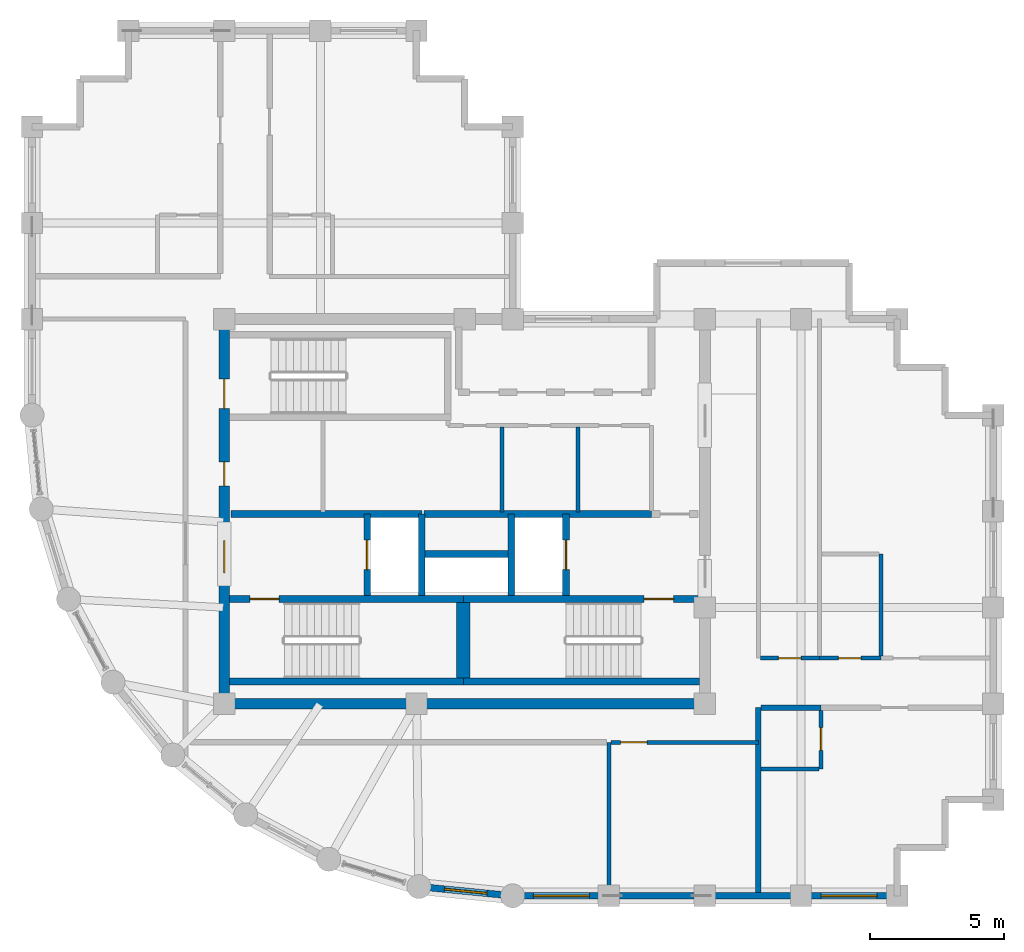
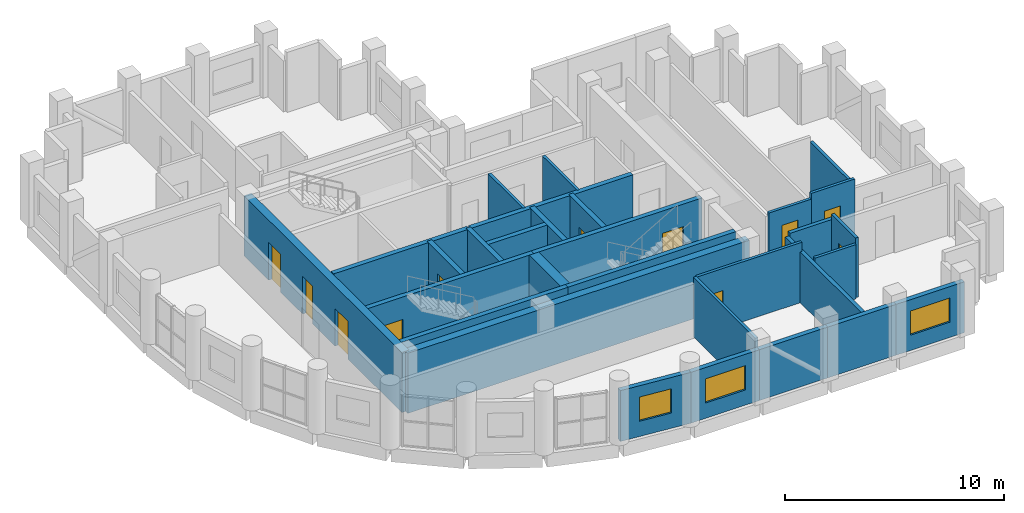
# One storey, part 7 of 11: 30 walls, 11 doors, 3 windows, 14 openings.
"""IFC4 building model written with IfcOpenShell, lengths in metres."""

import ifcopenshell
import ifcopenshell.guid

model = None  # the IFC model being written
_history = None  # IfcOwnerHistory: only IFC2X3 demands one
_inside = {}  # id of a spatial element -> (the spatial element, [elements in it])
_under = {}  # id of a project, library or spatial element -> (it, [spatial elements below it])
_declared = {}  # id of a project -> (the project, [libraries it declares])
_typed = {}  # id of a type object -> (the type object, [elements of that type])
_made_of = {}  # id of a material, layer set ... -> (it, [elements and type objects made of it])


def new_model(schema):
    """Start an empty IFC model of exactly this schema.

    Asked for "IFC4X3", IfcOpenShell would pick the latest addendum, in which some entities
    have other attributes; the version numbers below select the first issue.
    IFC2X3 requires an IfcOwnerHistory on every rooted entity: one is made here for all.
    """
    global model, _history
    if schema == "IFC4X3":
        model = ifcopenshell.file(schema_version=(4, 3, 0, 0))
    else:
        model = ifcopenshell.file(schema=schema)
    _inside.clear()
    _under.clear()
    _declared.clear()
    _typed.clear()
    _made_of.clear()
    _history = None
    if model.schema == "IFC2X3":
        org = make("IfcOrganization", Name="unknown")
        user = make(
            "IfcPersonAndOrganization",
            ThePerson=make("IfcPerson", FamilyName="unknown"),
            TheOrganization=org,
        )
        app = make(
            "IfcApplication",
            ApplicationDeveloper=org,
            Version="unknown",
            ApplicationFullName="unknown",
            ApplicationIdentifier="unknown",
        )
        _history = make(
            "IfcOwnerHistory",
            OwningUser=user,
            OwningApplication=app,
            ChangeAction="ADDED",
            CreationDate=0,
        )
    return model


def make(cls, **values):
    """One entity of the class cls with the attributes given. An attribute that is None is left unset."""
    return model.create_entity(
        cls, **{name: value for name, value in values.items() if value is not None}
    )


def rooted(cls, **values):
    """An entity with a GlobalId (a new one), such as an element, a storey or a relation."""
    return make(cls, GlobalId=ifcopenshell.guid.new(), OwnerHistory=_history, **values)


def si_unit(unit_type, name, prefix=None):
    """IfcSIUnit, for example si_unit("LENGTHUNIT", "METRE", prefix="MILLI")."""
    return make("IfcSIUnit", UnitType=unit_type, Prefix=prefix, Name=name)


def assignment(units):
    """IfcUnitAssignment: the units of a project."""
    return None if units is None else make("IfcUnitAssignment", Units=units)


def point(xyz):
    """IfcCartesianPoint."""
    return None if xyz is None else make("IfcCartesianPoint", Coordinates=xyz)


def direction(xyz):
    """IfcDirection."""
    return None if xyz is None else make("IfcDirection", DirectionRatios=xyz)


def frame(location, z_axis=None, x_axis=None):
    """IfcAxis2Placement3D, a coordinate frame: its origin and axes. An axis left out is left unset."""
    return make(
        "IfcAxis2Placement3D",
        Location=point(location),
        Axis=direction(z_axis),
        RefDirection=direction(x_axis),
    )


def frame_2d(location, x_axis=None):
    """IfcAxis2Placement2D, a coordinate frame in the plane: its origin and x axis."""
    return make(
        "IfcAxis2Placement2D", Location=point(location), RefDirection=direction(x_axis)
    )


def origin():
    """The frame at (0, 0, 0) with its axes left unset."""
    return frame((0.0, 0.0, 0.0))


def place(relative_to, where):
    """IfcLocalPlacement: puts the frame where relative to a parent placement (None: the world)."""
    return make(
        "IfcLocalPlacement", PlacementRelTo=relative_to, RelativePlacement=where
    )


def context(
    kind, dimensions, precision=None, world=None, true_north=None, identifier=None
):
    """IfcGeometricRepresentationContext, for example the 3D "Model" context."""
    return make(
        "IfcGeometricRepresentationContext",
        ContextIdentifier=identifier,
        ContextType=kind,
        CoordinateSpaceDimension=dimensions,
        Precision=precision,
        WorldCoordinateSystem=world,
        TrueNorth=true_north,
    )


def subcontext(parent, identifier, kind, view, scale=None):
    """IfcGeometricRepresentationSubContext, for example "Body" below "Model"."""
    return make(
        "IfcGeometricRepresentationSubContext",
        ContextIdentifier=identifier,
        ContextType=kind,
        ParentContext=parent,
        TargetScale=scale,
        TargetView=view,
    )


def project(units=None, contexts=None):
    """IfcProject with its units and contexts."""
    return rooted(
        "IfcProject",
        Name="project",
        RepresentationContexts=contexts,
        UnitsInContext=assignment(units),
    )


def spatial(cls, under=None, at=None, **own):
    """A site, building, storey or space (cls), placed at a placement, below another one or the project."""
    s = rooted(cls, ObjectPlacement=at, **own)
    if under is not None:
        _under.setdefault(under.id(), (under, []))[1].append(s)
    return s


def profile(cls, at=None, kind="AREA", **sizes):
    """A parametric profile (cls). Its sizes go by their IFC names, for example OverallWidth=200.0."""
    return make(cls, ProfileType=kind, Position=at, **sizes)


def rectangle(**sizes):
    """IfcRectangleProfileDef."""
    return profile("IfcRectangleProfileDef", **sizes)


def extrude(swept, where, along, depth):
    """IfcExtrudedAreaSolid: the profile swept, set in the frame where, extruded along a direction by depth."""
    return make(
        "IfcExtrudedAreaSolid",
        SweptArea=swept,
        Position=where,
        ExtrudedDirection=direction(along),
        Depth=depth,
    )


def shape(context_of_items, identifier, shape_type, items):
    """IfcShapeRepresentation: the items that make up one representation, for example the "Body"."""
    return make(
        "IfcShapeRepresentation",
        ContextOfItems=context_of_items,
        RepresentationIdentifier=identifier,
        RepresentationType=shape_type,
        Items=items,
    )


def material(Name=None, Category=None):
    """IfcMaterial."""
    return make("IfcMaterial", Name=Name, Category=Category)


def layer(
    of_material, thickness, ventilated=None, Name=None, Category=None, Priority=None
):
    """IfcMaterialLayer: one layer of a wall or slab, of a material (None: an air gap)."""
    return make(
        "IfcMaterialLayer",
        Material=of_material,
        LayerThickness=thickness,
        IsVentilated=ventilated,
        Name=Name,
        Category=Category,
        Priority=Priority,
    )


def layer_set(layers, Name=None):
    """IfcMaterialLayerSet."""
    return make("IfcMaterialLayerSet", MaterialLayers=layers, LayerSetName=Name)


def made_of(thing, what):
    """Note that an element or type object is made of a material, layer set ...; save() writes the relation."""
    if what is not None:
        _made_of.setdefault(what.id(), (what, []))[1].append(thing)
    return thing


def type_object(cls, material=None, **own):
    """A type object (cls), such as IfcWallType, which elements share."""
    return made_of(rooted(cls, **own), material)


def element(
    cls,
    number,
    at=None,
    inside=None,
    cuts=None,
    type_object=None,
    material=None,
    context=None,
    identifier="Body",
    shape_type=None,
    held_by="IfcProductDefinitionShape",
    body=None,
    shapes=None,
    **own,
):
    """One element of the class cls, such as IfcWall. Its Tag is "e" and its number.

    at: its placement. inside: the storey or other place that contains it. cuts: it is an
    opening in that element (IfcRelVoidsElement). A single representation is given by context,
    identifier, shape_type and body (its items); several are given by shapes. held_by: the class
    of the entity that holds the representations. save() writes the other relations.
    """
    e = rooted(cls, Tag="e%d" % number, ObjectPlacement=at, **own)
    if body is not None:
        shapes = [shape(context, identifier, shape_type, body)]
    if shapes is not None:
        e.Representation = make(held_by, Representations=shapes)
    if inside is not None:
        _inside.setdefault(inside.id(), (inside, []))[1].append(e)
    if cuts is not None:
        rooted(
            "IfcRelVoidsElement", RelatingBuildingElement=cuts, RelatedOpeningElement=e
        )
    if type_object is not None:
        _typed.setdefault(type_object.id(), (type_object, []))[1].append(e)
    return made_of(e, material)


def fill(opening, filler):
    """IfcRelFillsElement: the door or window that sits in an opening."""
    return rooted(
        "IfcRelFillsElement",
        RelatingOpeningElement=opening,
        RelatedBuildingElement=filler,
    )


def aggregate(whole, parts):
    """IfcRelAggregates: a whole, such as a stair, and the parts it consists of."""
    return rooted("IfcRelAggregates", RelatingObject=whole, RelatedObjects=parts)


def save(model, path):
    """Write the relations noted so far, then the file.

    IfcRelAggregates (storeys below a building ...), IfcRelContainedInSpatialStructure (elements
    in a storey), IfcRelDefinesByType, IfcRelAssociatesMaterial and IfcRelDeclares: one each for
    every whole, place, type object, material and project.
    """
    for whole, parts in _under.values():
        aggregate(whole, parts)
    for where, things in _inside.values():
        rooted(
            "IfcRelContainedInSpatialStructure",
            RelatedElements=things,
            RelatingStructure=where,
        )
    for kind, things in _typed.values():
        rooted("IfcRelDefinesByType", RelatedObjects=things, RelatingType=kind)
    for what, things in _made_of.values():
        rooted("IfcRelAssociatesMaterial", RelatedObjects=things, RelatingMaterial=what)
    for by, libraries in _declared.values():
        rooted("IfcRelDeclares", RelatingContext=by, RelatedDefinitions=libraries)
    model.write(path)


model = new_model("IFC4")

# Units and contexts
model_context = context("Model", 3, precision=1e-05, world=origin(), true_north=direction((0.0, 1.0)))
body_context = subcontext(model_context, "Body", "Model", "MODEL_VIEW")
ifc_project = project(units=[si_unit("LENGTHUNIT", "METRE"), si_unit("AREAUNIT", "SQUARE_METRE"), si_unit("VOLUMEUNIT", "CUBIC_METRE"), si_unit("PLANEANGLEUNIT", "RADIAN"), si_unit("MASSUNIT", "GRAM", prefix="KILO")], contexts=[model_context])

# Site, building, storey
site_placement = place(None, origin())
site = spatial("IfcSite", under=ifc_project, at=site_placement, CompositionType="ELEMENT")
building_placement = place(site_placement, origin())
building = spatial("IfcBuilding", under=site, at=building_placement, Name="Solnavia Interchange Tower", CompositionType="ELEMENT")
storey_placement = place(building_placement, frame((0.0, 0.0, 284.60009765625)))
storey = spatial("IfcBuildingStorey", under=building, at=storey_placement, Name="L72", CompositionType="ELEMENT", Elevation=284.60009765625)

# Walls
ifc_material_1 = material(Name="Gypsum Acoustic Twin-Stud & Mineral Wool", Category="gypsum")
ifc_layer_1 = layer(ifc_material_1, 0.199951171875)
ifc_layer_set_1 = layer_set([ifc_layer_1], Name="Gypsum Acoustic Twin-Stud & Mineral Wool")
wall_type_1 = type_object("IfcWallType", Name="Wall-ApartmentParty-200", PredefinedType="PARTITIONING", material=ifc_layer_set_1)
wall_1_placement = place(storey_placement, frame((34.39990234375, 3.72900390625, 0.0), z_axis=(0.0, 0.0, 1.0), x_axis=(0.0, 1.0, 0.0)))
element("IfcWall", 1, at=wall_1_placement, inside=storey, type_object=wall_type_1, Name="PTW-L72-12 Interior partition wall", PredefinedType="PARTITIONING", context=body_context, shape_type="SweptSolid", body=[
    extrude(rectangle(XDim=6.9208984375, YDim=0.199951171875, at=frame_2d((3.46044921875, 0.0))), origin(), (0.0, 0.0, 1.0), 2.829833984375),
])
wall_2_placement = place(storey_placement, frame((34.50390625, 10.64990234375, 0.0), z_axis=(0.0, 0.0, 1.0), x_axis=(1.0, 0.0, 0.0)))
element("IfcWall", 2, at=wall_2_placement, inside=storey, type_object=wall_type_1, Name="PTW-L72-13 Interior partition wall", PredefinedType="PARTITIONING", context=body_context, shape_type="SweptSolid", body=[
    extrude(rectangle(XDim=2.24609375, YDim=0.199951171875, at=frame_2d((1.123046875, 0.0))), origin(), (0.0, 0.0, 1.0), 3.02001953125),
])

# Wall, opening, window
ifc_material_2 = material(Name="Concrete C40/50", Category="concrete")
ifc_layer_2 = layer(ifc_material_2, 0.25)
ifc_layer_set_2 = layer_set([ifc_layer_2], Name="Concrete C40/50")
wall_type_2 = type_object("IfcWallType", Name="Wall-ExtSpandrel-250", PredefinedType="STANDARD", material=ifc_layer_set_2)
wall_3_placement = place(storey_placement, frame((28.800048828125, 3.60009765625, 0.0), z_axis=(0.0, 0.0, 1.0), x_axis=(-1.0, 0.0, 0.0)))
wall_3 = element("IfcWall", 3, at=wall_3_placement, inside=storey, type_object=wall_type_2, Name="EXW-L72-01 Exterior precast spandrel wall", PredefinedType="STANDARD", context=body_context, shape_type="SweptSolid", body=[
    extrude(rectangle(XDim=3.60009765625, YDim=0.25, at=frame_2d((1.800048828125, 0.0))), origin(), (0.0, 0.0, 1.0), 2.829833984375),
])
opening_1_placement = place(wall_3_placement, frame((0.72509765625, 0.0, 0.85009765625)))
opening_1 = element("IfcOpeningElement", 4, at=opening_1_placement, cuts=wall_3, Name="Opening WIN-01", PredefinedType="OPENING", context=body_context, shape_type="SweptSolid", body=[
    extrude(rectangle(XDim=2.10009765625, YDim=1.35009765625, at=frame_2d((1.050048828125, 0.675048828125))), frame((0.0, 0.135009765625, 0.0), z_axis=(0.0, -1.0, 0.0), x_axis=(1.0, 0.0, 0.0)), (0.0, 0.0, 1.0), 0.27001953125),
])
ifc_material_3 = material(Name="Thermal-Break Aluminium & Low-E Glass", Category="aluminium")
window_type_1 = type_object("IfcWindowType", Name="Window-Ribbon-2100x1350", PartitioningType="SINGLE_PANEL", PredefinedType="WINDOW", material=ifc_material_3)
window_1_placement = place(opening_1_placement, origin())
window_1 = element("IfcWindow", 5, at=window_1_placement, inside=storey, type_object=window_type_1, Name="WIN-L72-01 Facade ribbon window", OverallHeight=1.35009765625, OverallWidth=2.10009765625, PartitioningType="SINGLE_PANEL", PredefinedType="WINDOW", context=body_context, shape_type="SweptSolid", body=[
    extrude(rectangle(XDim=2.10009765625, YDim=1.35009765625, at=frame_2d((1.050048828125, 0.675048828125))), frame((0.0, 0.030029296875, 0.0), z_axis=(0.0, -1.0, 0.0), x_axis=(1.0, 0.0, 0.0)), (0.0, 0.0, 1.0), 0.06005859375),
])
fill(opening_1, window_1)

# Walls
wall_4_placement = place(storey_placement, frame((32.39990234375, 3.60009765625, 0.0), z_axis=(0.0, 0.0, 1.0), x_axis=(-1.0, 0.0, 0.0)))
element("IfcWall", 6, at=wall_4_placement, inside=storey, type_object=wall_type_2, Name="EXW-L72-02 Exterior precast spandrel wall", PredefinedType="STANDARD", context=body_context, shape_type="SweptSolid", body=[
    extrude(rectangle(XDim=3.599853515625, YDim=0.25, at=frame_2d((1.7998046875, 0.0))), origin(), (0.0, 0.0, 1.0), 2.829833984375),
])
wall_5_placement = place(storey_placement, frame((36.0, 3.60009765625, 0.0), z_axis=(0.0, 0.0, 1.0), x_axis=(-1.0, 0.0, 0.0)))
element("IfcWall", 7, at=wall_5_placement, inside=storey, type_object=wall_type_2, Name="EXW-L72-03 Exterior precast spandrel wall", PredefinedType="STANDARD", context=body_context, shape_type="SweptSolid", body=[
    extrude(rectangle(XDim=3.60009765625, YDim=0.25, at=frame_2d((1.800048828125, 0.0))), origin(), (0.0, 0.0, 1.0), 2.829833984375),
])

# Wall, opening, window
wall_6_placement = place(storey_placement, frame((39.60009765625, 3.60009765625, 0.0), z_axis=(0.0, 0.0, 1.0), x_axis=(-1.0, 0.0, 0.0)))
wall_6 = element("IfcWall", 8, at=wall_6_placement, inside=storey, type_object=wall_type_2, Name="EXW-L72-04 Exterior precast spandrel wall", PredefinedType="STANDARD", context=body_context, shape_type="SweptSolid", body=[
    extrude(rectangle(XDim=3.60009765625, YDim=0.25, at=frame_2d((1.800048828125, 0.0))), origin(), (0.0, 0.0, 1.0), 2.829833984375),
])
opening_2_placement = place(wall_6_placement, frame((0.75, 0.0, 0.85009765625)))
opening_2 = element("IfcOpeningElement", 9, at=opening_2_placement, cuts=wall_6, Name="Opening WIN-01", PredefinedType="OPENING", context=body_context, shape_type="SweptSolid", body=[
    extrude(rectangle(XDim=2.10009765625, YDim=1.35009765625, at=frame_2d((1.050048828125, 0.675048828125))), frame((0.0, 0.135009765625, 0.0), z_axis=(0.0, -1.0, 0.0), x_axis=(1.0, 0.0, 0.0)), (0.0, 0.0, 1.0), 0.27001953125),
])
window_2_placement = place(opening_2_placement, origin())
window_2 = element("IfcWindow", 10, at=window_2_placement, inside=storey, type_object=window_type_1, Name="WIN-L72-04 Facade ribbon window", OverallHeight=1.35009765625, OverallWidth=2.10009765625, PartitioningType="SINGLE_PANEL", PredefinedType="WINDOW", context=body_context, shape_type="SweptSolid", body=[
    extrude(rectangle(XDim=2.10009765625, YDim=1.35009765625, at=frame_2d((1.050048828125, 0.675048828125))), frame((0.0, 0.030029296875, 0.0), z_axis=(0.0, -1.0, 0.0), x_axis=(1.0, 0.0, 0.0)), (0.0, 0.0, 1.0), 0.06005859375),
])
fill(opening_2, window_2)

wall_7_placement = place(storey_placement, frame((25.199951171875, 3.60009765625, 0.0), z_axis=(0.0, 0.0, 1.0), x_axis=(-0.995183369056, 0.098030923459, 0.0)))
wall_7 = element("IfcWall", 11, at=wall_7_placement, inside=storey, type_object=wall_type_2, Name="EXW-L72-48 Exterior precast spandrel wall", PredefinedType="STANDARD", context=body_context, shape_type="SweptSolid", body=[
    extrude(rectangle(XDim=3.529052734375, YDim=0.25, at=frame_2d((1.7646484375, 0.0))), origin(), (0.0, 0.0, 1.0), 2.829833984375),
])
opening_3_placement = place(wall_7_placement, frame((0.965087890625, 0.0, 0.85009765625)))
opening_3 = element("IfcOpeningElement", 12, at=opening_3_placement, cuts=wall_7, Name="Opening WIN-04", PredefinedType="OPENING", context=body_context, shape_type="SweptSolid", body=[
    extrude(rectangle(XDim=1.60009765625, YDim=1.35009765625, at=frame_2d((0.800048828125, 0.675048828125))), frame((0.0, 0.135009765625, 0.0), z_axis=(0.0, -1.0, 0.0), x_axis=(1.0, 0.0, 0.0)), (0.0, 0.0, 1.0), 0.27001953125),
])
window_type_2 = type_object("IfcWindowType", Name="Window-Drum-1600x1350", PartitioningType="SINGLE_PANEL", PredefinedType="WINDOW", material=ifc_material_3)
window_3_placement = place(opening_3_placement, origin())
window_3 = element("IfcWindow", 13, at=window_3_placement, inside=storey, type_object=window_type_2, Name="WIN-L72-48 Facade ribbon window", OverallHeight=1.35009765625, OverallWidth=1.60009765625, PartitioningType="SINGLE_PANEL", PredefinedType="WINDOW", context=body_context, shape_type="SweptSolid", body=[
    extrude(rectangle(XDim=1.60009765625, YDim=1.35009765625, at=frame_2d((0.800048828125, 0.675048828125))), frame((0.0, 0.030029296875, 0.0), z_axis=(0.0, -1.0, 0.0), x_axis=(1.0, 0.0, 0.0)), (0.0, 0.0, 1.0), 0.06005859375),
])
fill(opening_3, window_3)

# Walls
ifc_material_4 = material(Name="Gypsum Plasterboard & Steel Stud", Category="steel")
ifc_layer_3 = layer(ifc_material_4, 0.14990234375)
ifc_layer_set_3 = layer_set([ifc_layer_3], Name="Gypsum Plasterboard & Steel Stud")
wall_type_3 = type_object("IfcWallType", Name="Wall-Partition-150", PredefinedType="PARTITIONING", material=ifc_layer_set_3)
for number, where, z_axis, x_axis, name in (
    (14, (24.800048828125, 17.97998046875, 0.0), (0.0, 0.0, 1.0), (0.0, 1.0, 0.0), "CSW-L72-M2 Core shaft wall"),
    (15, (27.64990234375, 17.97998046875, 0.0), (0.0, 0.0, 1.0), (0.0, 1.0, 0.0), "CSW-L72-M3 Core shaft wall"),
):
    element("IfcWall", number, at=place(storey_placement, frame(where, z_axis=z_axis, x_axis=x_axis)), inside=storey, type_object=wall_type_3, Name=name, PredefinedType="PARTITIONING", context=body_context, shape_type="SweptSolid", body=[
        extrude(rectangle(XDim=3.169921875, YDim=0.14990234375, at=frame_2d((1.5849609375, 0.0))), origin(), (0.0, 0.0, 1.0), 3.3349609375),
    ])
wall_8_placement = place(storey_placement, frame((28.800048828125, 9.35009765625, 0.0), z_axis=(0.0, 0.0, 1.0), x_axis=(0.0, -1.0, 0.0)))
element("IfcWall", 16, at=wall_8_placement, inside=storey, type_object=wall_type_3, Name="PTW-L72-08 Interior partition wall", PredefinedType="PARTITIONING", context=body_context, shape_type="SweptSolid", body=[
    extrude(rectangle(XDim=5.62109375, YDim=0.14990234375, at=frame_2d((2.810546875, 0.0))), origin(), (0.0, 0.0, 1.0), 3.3349609375),
])

# Wall, opening, door
wall_9_placement = place(storey_placement, frame((28.87890625, 9.35009765625, 0.0), z_axis=(0.0, 0.0, 1.0), x_axis=(1.0, 0.0, 0.0)))
wall_9 = element("IfcWall", 17, at=wall_9_placement, inside=storey, type_object=wall_type_3, Name="PTW-L72-11 Interior partition wall", PredefinedType="PARTITIONING", context=body_context, shape_type="SweptSolid", body=[
    extrude(rectangle(XDim=5.52099609375, YDim=0.14990234375, at=frame_2d((2.760498046875, 0.0))), origin(), (0.0, 0.0, 1.0), 3.3349609375),
])
opening_4_placement = place(wall_9_placement, frame((0.360107421875, 0.0, 0.0)))
opening_4 = element("IfcOpeningElement", 18, at=opening_4_placement, cuts=wall_9, Name="Opening DR-07", PredefinedType="OPENING", context=body_context, shape_type="SweptSolid", body=[
    extrude(rectangle(XDim=1.0, YDim=2.10009765625, at=frame_2d((0.5, 1.050048828125))), frame((0.0, 0.0849609375, 0.0), z_axis=(0.0, -1.0, 0.0), x_axis=(1.0, 0.0, 0.0)), (0.0, 0.0, 1.0), 0.169921875),
])
ifc_material_5 = material(Name="Timber & Acoustic Glazed Office Door", Category="wood")
door_type_1 = type_object("IfcDoorType", Name="Door-Office-1000x2100", OperationType="SINGLE_SWING_RIGHT", PredefinedType="DOOR", material=ifc_material_5)
door_1_placement = place(opening_4_placement, origin())
door_1 = element("IfcDoor", 19, at=door_1_placement, inside=storey, type_object=door_type_1, Name="DR-L72-04 Interior room door", OperationType="SINGLE_SWING_LEFT", OverallHeight=2.10009765625, OverallWidth=1.0, PredefinedType="DOOR", context=body_context, shape_type="SweptSolid", body=[
    extrude(rectangle(XDim=1.0, YDim=2.10009765625, at=frame_2d((0.5, 1.050048828125))), frame((0.0, 0.02490234375, 0.0), z_axis=(0.0, -1.0, 0.0), x_axis=(1.0, 0.0, 0.0)), (0.0, 0.0, 1.0), 0.050048828125),
])
fill(opening_4, door_1)

# Wall
ifc_layer_4 = layer(ifc_material_2, 0.25)
ifc_layer_set_4 = layer_set([ifc_layer_4], Name="Concrete C40/50")
wall_type_4 = type_object("IfcWallType", Name="Wall-ShaftCore-250", PredefinedType="SHEAR", material=ifc_layer_set_4)
wall_10_placement = place(storey_placement, frame((14.60009765625, 11.625, 0.0), z_axis=(0.0, 0.0, 1.0), x_axis=(1.0, 0.0, 0.0)))
element("IfcWall", 20, at=wall_10_placement, inside=storey, type_object=wall_type_4, Name="SHW-L72-ST1S Core shear wall", PredefinedType="SHEAR", context=body_context, shape_type="SweptSolid", body=[
    extrude(rectangle(XDim=8.75, YDim=0.25, at=frame_2d((4.375, 0.0))), origin(), (0.0, 0.0, 1.0), 3.349853515625),
])

# Wall, opening, door
wall_11_placement = place(storey_placement, frame((14.60009765625, 14.715087890625, 0.0), z_axis=(0.0, 0.0, 1.0), x_axis=(1.0, 0.0, 0.0)))
wall_11 = element("IfcWall", 21, at=wall_11_placement, inside=storey, type_object=wall_type_4, Name="SHW-L72-ST1N Core shear wall", PredefinedType="SHEAR", context=body_context, shape_type="SweptSolid", body=[
    extrude(rectangle(XDim=8.75, YDim=0.25, at=frame_2d((4.375, 0.0))), origin(), (0.0, 0.0, 1.0), 3.349853515625),
])
opening_5_placement = place(wall_11_placement, frame((0.7548828125, 0.0, 0.0)))
opening_5 = element("IfcOpeningElement", 22, at=opening_5_placement, cuts=wall_11, Name="Opening DR-01", PredefinedType="OPENING", context=body_context, shape_type="SweptSolid", body=[
    extrude(rectangle(XDim=1.10009765625, YDim=2.10009765625, at=frame_2d((0.550048828125, 1.050048828125))), frame((0.0, 0.135009765625, 0.0), z_axis=(0.0, -1.0, 0.0), x_axis=(1.0, 0.0, 0.0)), (0.0, 0.0, 1.0), 0.27001953125),
])
ifc_material_6 = material(Name="Steel Fire-Rated Leaf & Frame", Category="steel")
door_type_2 = type_object("IfcDoorType", Name="Door-StairFire-1100x2100", OperationType="SINGLE_SWING_LEFT", PredefinedType="DOOR", material=ifc_material_6)
door_2_placement = place(opening_5_placement, origin())
door_2 = element("IfcDoor", 23, at=door_2_placement, inside=storey, type_object=door_type_2, Name="DR-L72-ST1 Core fire door", OperationType="SINGLE_SWING_LEFT", OverallHeight=2.10009765625, OverallWidth=1.10009765625, PredefinedType="DOOR", context=body_context, shape_type="SweptSolid", body=[
    extrude(rectangle(XDim=1.10009765625, YDim=2.10009765625, at=frame_2d((0.550048828125, 1.050048828125))), frame((0.0, 0.02490234375, 0.0), z_axis=(0.0, -1.0, 0.0), x_axis=(1.0, 0.0, 0.0)), (0.0, 0.0, 1.0), 0.050048828125),
])
fill(opening_5, door_2)

# Wall
wall_12_placement = place(storey_placement, frame((23.35009765625, 11.625, 0.0), z_axis=(0.0, 0.0, 1.0), x_axis=(1.0, 0.0, 0.0)))
element("IfcWall", 24, at=wall_12_placement, inside=storey, type_object=wall_type_4, Name="SHW-L72-ST2S Core shear wall", PredefinedType="SHEAR", context=body_context, shape_type="SweptSolid", body=[
    extrude(rectangle(XDim=8.849853515625, YDim=0.25, at=frame_2d((4.4248046875, 0.0))), origin(), (0.0, 0.0, 1.0), 3.349853515625),
])

# Wall, opening, door
wall_13_placement = place(storey_placement, frame((23.35009765625, 14.715087890625, 0.0), z_axis=(0.0, 0.0, 1.0), x_axis=(1.0, 0.0, 0.0)))
wall_13 = element("IfcWall", 25, at=wall_13_placement, inside=storey, type_object=wall_type_4, Name="SHW-L72-ST2N Core shear wall", PredefinedType="SHEAR", context=body_context, shape_type="SweptSolid", body=[
    extrude(rectangle(XDim=8.849853515625, YDim=0.25, at=frame_2d((4.4248046875, 0.0))), origin(), (0.0, 0.0, 1.0), 3.349853515625),
])
opening_6_placement = place(wall_13_placement, frame((6.77490234375, 0.0, 0.0)))
opening_6 = element("IfcOpeningElement", 26, at=opening_6_placement, cuts=wall_13, Name="Opening DR-01", PredefinedType="OPENING", context=body_context, shape_type="SweptSolid", body=[
    extrude(rectangle(XDim=1.10009765625, YDim=2.10009765625, at=frame_2d((0.550048828125, 1.050048828125))), frame((0.0, 0.135009765625, 0.0), z_axis=(0.0, -1.0, 0.0), x_axis=(1.0, 0.0, 0.0)), (0.0, 0.0, 1.0), 0.27001953125),
])
door_3_placement = place(opening_6_placement, origin())
door_3 = element("IfcDoor", 27, at=door_3_placement, inside=storey, type_object=door_type_2, Name="DR-L72-ST2 Core fire door", OperationType="SINGLE_SWING_LEFT", OverallHeight=2.10009765625, OverallWidth=1.10009765625, PredefinedType="DOOR", context=body_context, shape_type="SweptSolid", body=[
    extrude(rectangle(XDim=1.10009765625, YDim=2.10009765625, at=frame_2d((0.550048828125, 1.050048828125))), frame((0.0, 0.02490234375, 0.0), z_axis=(0.0, -1.0, 0.0), x_axis=(1.0, 0.0, 0.0)), (0.0, 0.0, 1.0), 0.050048828125),
])
fill(opening_6, door_3)

# Wall
ifc_layer_5 = layer(ifc_material_2, 0.25)
ifc_layer_set_5 = layer_set([ifc_layer_5], Name="Concrete C40/50")
wall_type_5 = type_object("IfcWallType", Name="Wall-ShaftPart-250", PredefinedType="PARTITIONING", material=ifc_layer_set_5)
wall_14_placement = place(storey_placement, frame((14.64990234375, 17.89990234375, 0.0), z_axis=(0.0, 0.0, 1.0), x_axis=(1.0, 0.0, 0.0)))
element("IfcWall", 28, at=wall_14_placement, inside=storey, type_object=wall_type_5, Name="SHW-L72-FFLW-N Core shaft wall", PredefinedType="PARTITIONING", context=body_context, shape_type="SweptSolid", body=[
    extrude(rectangle(XDim=7.150146484375, YDim=0.25, at=frame_2d((3.5751953125, 0.0))), origin(), (0.0, 0.0, 1.0), 3.3349609375),
])

# Wall, opening, door
wall_15_placement = place(storey_placement, frame((19.75, 14.840087890625, 0.0), z_axis=(0.0, 0.0, 1.0), x_axis=(0.0, 1.0, 0.0)))
wall_15 = element("IfcWall", 29, at=wall_15_placement, inside=storey, type_object=wall_type_5, Name="SHW-L72-FFL1-W Core shaft wall", PredefinedType="PARTITIONING", context=body_context, shape_type="SweptSolid", body=[
    extrude(rectangle(XDim=3.059814453125, YDim=0.25, at=frame_2d((1.52978515625, 0.0))), origin(), (0.0, 0.0, 1.0), 3.3349609375),
])
opening_7_placement = place(wall_15_placement, frame((0.97998046875, 0.0, 0.0)))
opening_7 = element("IfcOpeningElement", 30, at=opening_7_placement, cuts=wall_15, Name="Opening LD-01", PredefinedType="OPENING", context=body_context, shape_type="SweptSolid", body=[
    extrude(rectangle(XDim=1.10009765625, YDim=2.10009765625, at=frame_2d((0.550048828125, 1.050048828125))), frame((0.0, 0.135009765625, 0.0), z_axis=(0.0, -1.0, 0.0), x_axis=(1.0, 0.0, 0.0)), (0.0, 0.0, 1.0), 0.27001953125),
])
ifc_material_7 = material(Name="Brushed Stainless Steel Sliding Door", Category="steel")
door_type_3 = type_object("IfcDoorType", Name="Door-LiftLanding-1100x2100", OperationType="SLIDING_TO_LEFT", PredefinedType="DOOR", material=ifc_material_7)
door_4_placement = place(opening_7_placement, origin())
door_4 = element("IfcDoor", 31, at=door_4_placement, inside=storey, type_object=door_type_3, Name="LD-L72-FFL1 Lift landing sliding door", OperationType="SLIDING_TO_LEFT", OverallHeight=2.10009765625, OverallWidth=1.10009765625, PredefinedType="DOOR", context=body_context, shape_type="SweptSolid", body=[
    extrude(rectangle(XDim=1.10009765625, YDim=2.10009765625, at=frame_2d((0.550048828125, 1.050048828125))), frame((0.0, 0.02490234375, 0.0), z_axis=(0.0, -1.0, 0.0), x_axis=(1.0, 0.0, 0.0)), (0.0, 0.0, 1.0), 0.050048828125),
])
fill(opening_7, door_4)

# Walls
wall_16_placement = place(storey_placement, frame((21.800048828125, 14.840087890625, 0.0), z_axis=(0.0, 0.0, 1.0), x_axis=(0.0, 1.0, 0.0)))
element("IfcWall", 32, at=wall_16_placement, inside=storey, type_object=wall_type_5, Name="SHW-L72-FFL1-E Core shaft wall", PredefinedType="PARTITIONING", context=body_context, shape_type="SweptSolid", body=[
    extrude(rectangle(XDim=3.059814453125, YDim=0.25, at=frame_2d((1.52978515625, 0.0))), origin(), (0.0, 0.0, 1.0), 3.3349609375),
])
wall_17_placement = place(storey_placement, frame((21.8798828125, 17.89990234375, 0.0), z_axis=(0.0, 0.0, 1.0), x_axis=(1.0, 0.0, 0.0)))
element("IfcWall", 33, at=wall_17_placement, inside=storey, type_object=wall_type_5, Name="SHW-L72-FFLE-N1 Core shaft wall", PredefinedType="PARTITIONING", context=body_context, shape_type="SweptSolid", body=[
    extrude(rectangle(XDim=8.52001953125, YDim=0.25, at=frame_2d((4.260009765625, 0.0))), origin(), (0.0, 0.0, 1.0), 3.3349609375),
])
wall_18_placement = place(storey_placement, frame((25.14990234375, 14.840087890625, 0.0), z_axis=(0.0, 0.0, 1.0), x_axis=(0.0, 1.0, 0.0)))
element("IfcWall", 34, at=wall_18_placement, inside=storey, type_object=wall_type_5, Name="SHW-L72-FFL2-W Core shaft wall", PredefinedType="PARTITIONING", context=body_context, shape_type="SweptSolid", body=[
    extrude(rectangle(XDim=3.059814453125, YDim=0.25, at=frame_2d((1.52978515625, 0.0))), origin(), (0.0, 0.0, 1.0), 3.3349609375),
])

# Wall, opening, door
wall_19_placement = place(storey_placement, frame((27.199951171875, 14.840087890625, 0.0), z_axis=(0.0, 0.0, 1.0), x_axis=(0.0, 1.0, 0.0)))
wall_19 = element("IfcWall", 35, at=wall_19_placement, inside=storey, type_object=wall_type_5, Name="SHW-L72-FFL2-E Core shaft wall", PredefinedType="PARTITIONING", context=body_context, shape_type="SweptSolid", body=[
    extrude(rectangle(XDim=3.059814453125, YDim=0.25, at=frame_2d((1.52978515625, 0.0))), origin(), (0.0, 0.0, 1.0), 3.3349609375),
])
opening_8_placement = place(wall_19_placement, frame((0.97998046875, 0.0, 0.0)))
opening_8 = element("IfcOpeningElement", 36, at=opening_8_placement, cuts=wall_19, Name="Opening LD-01", PredefinedType="OPENING", context=body_context, shape_type="SweptSolid", body=[
    extrude(rectangle(XDim=1.10009765625, YDim=2.10009765625, at=frame_2d((0.550048828125, 1.050048828125))), frame((0.0, 0.135009765625, 0.0), z_axis=(0.0, -1.0, 0.0), x_axis=(1.0, 0.0, 0.0)), (0.0, 0.0, 1.0), 0.27001953125),
])
door_5_placement = place(opening_8_placement, origin())
door_5 = element("IfcDoor", 37, at=door_5_placement, inside=storey, type_object=door_type_3, Name="LD-L72-FFL2 Lift landing sliding door", OperationType="SLIDING_TO_LEFT", OverallHeight=2.10009765625, OverallWidth=1.10009765625, PredefinedType="DOOR", context=body_context, shape_type="SweptSolid", body=[
    extrude(rectangle(XDim=1.10009765625, YDim=2.10009765625, at=frame_2d((0.550048828125, 1.050048828125))), frame((0.0, 0.02490234375, 0.0), z_axis=(0.0, -1.0, 0.0), x_axis=(1.0, 0.0, 0.0)), (0.0, 0.0, 1.0), 0.050048828125),
])
fill(opening_8, door_5)

# Walls
wall_20_placement = place(storey_placement, frame((21.800048828125, 16.39990234375, 0.0), z_axis=(0.0, 0.0, 1.0), x_axis=(1.0, 0.0, 0.0)))
element("IfcWall", 38, at=wall_20_placement, inside=storey, type_object=wall_type_5, Name="SHW-L72-MEP-N Core shaft wall", PredefinedType="PARTITIONING", context=body_context, shape_type="SweptSolid", body=[
    extrude(rectangle(XDim=3.349853515625, YDim=0.25, at=frame_2d((1.6748046875, 0.0))), origin(), (0.0, 0.0, 1.0), 3.3349609375),
])
ifc_material_8 = material(Name="Concrete C50/60", Category="concrete")
ifc_layer_6 = layer(ifc_material_8, 0.39990234375)
ifc_layer_set_6 = layer_set([ifc_layer_6], Name="Concrete C50/60")
wall_type_6 = type_object("IfcWallType", Name="Wall-ShearCore-400", PredefinedType="SHEAR", material=ifc_layer_set_6)
wall_21_placement = place(storey_placement, frame((14.39990234375, 10.800048828125, 0.0), z_axis=(0.0, 0.0, 1.0), x_axis=(1.0, 0.0, 0.0)))
element("IfcWall", 39, at=wall_21_placement, inside=storey, type_object=wall_type_6, Name="CRW-L72-S Core shear wall", PredefinedType="SHEAR", context=body_context, shape_type="SweptSolid", body=[
    extrude(rectangle(XDim=18.0, YDim=0.39990234375, at=frame_2d((9.0, 0.0))), origin(), (0.0, 0.0, 1.0), 3.349853515625),
])

# Wall, openings, doors
wall_22_placement = place(storey_placement, frame((14.39990234375, 10.800048828125, 0.0), z_axis=(0.0, 0.0, 1.0), x_axis=(0.0, 1.0, 0.0)))
wall_22 = element("IfcWall", 40, at=wall_22_placement, inside=storey, type_object=wall_type_6, Name="CRW-L72-W Core shear wall", PredefinedType="SHEAR", context=body_context, shape_type="SweptSolid", body=[
    extrude(rectangle(XDim=14.39990234375, YDim=0.39990234375, at=frame_2d((7.199951171875, 0.0))), origin(), (0.0, 0.0, 1.0), 3.349853515625),
])
opening_9_placement = place(wall_22_placement, frame((11.050048828125, 0.0, 0.0)))
opening_9 = element("IfcOpeningElement", 41, at=opening_9_placement, cuts=wall_22, Name="Opening DR-01", PredefinedType="OPENING", context=body_context, shape_type="SweptSolid", body=[
    extrude(rectangle(XDim=1.10009765625, YDim=2.10009765625, at=frame_2d((0.550048828125, 1.050048828125))), frame((0.0, 0.2099609375, 0.0), z_axis=(0.0, -1.0, 0.0), x_axis=(1.0, 0.0, 0.0)), (0.0, 0.0, 1.0), 0.419921875),
])
opening_10_placement = place(wall_22_placement, frame((4.89990234375, 0.0, 0.0)))
opening_10 = element("IfcOpeningElement", 42, at=opening_10_placement, cuts=wall_22, Name="Opening DR-02", PredefinedType="OPENING", context=body_context, shape_type="SweptSolid", body=[
    extrude(rectangle(XDim=1.199951171875, YDim=2.10009765625, at=frame_2d((0.60009765625, 1.050048828125))), frame((0.0, 0.2099609375, 0.0), z_axis=(0.0, -1.0, 0.0), x_axis=(1.0, 0.0, 0.0)), (0.0, 0.0, 1.0), 0.419921875),
])
opening_11_placement = place(wall_22_placement, frame((8.14990234375, 0.0, 0.0)))
opening_11 = element("IfcOpeningElement", 43, at=opening_11_placement, cuts=wall_22, Name="Opening DR-09", PredefinedType="OPENING", context=body_context, shape_type="SweptSolid", body=[
    extrude(rectangle(XDim=0.89990234375, YDim=2.10009765625, at=frame_2d((0.449951171875, 1.050048828125))), frame((0.0, 0.2099609375, 0.0), z_axis=(0.0, -1.0, 0.0), x_axis=(1.0, 0.0, 0.0)), (0.0, 0.0, 1.0), 0.419921875),
])
ifc_material_9 = material(Name="Engineered Oak Veneer Door", Category="wood")
door_type_4 = type_object("IfcDoorType", Name="Door-Internal-900x2100", OperationType="SINGLE_SWING_LEFT", PredefinedType="DOOR", material=ifc_material_9)
door_6_placement = place(opening_11_placement, origin())
door_6 = element("IfcDoor", 44, at=door_6_placement, inside=storey, type_object=door_type_4, Name="DR-L72-CS1 Core fire door", OperationType="SINGLE_SWING_RIGHT", OverallHeight=2.10009765625, OverallWidth=0.89990234375, PredefinedType="DOOR", context=body_context, shape_type="SweptSolid", body=[
    extrude(rectangle(XDim=0.89990234375, YDim=2.10009765625, at=frame_2d((0.449951171875, 1.050048828125))), frame((0.0, 0.02490234375, 0.0), z_axis=(0.0, -1.0, 0.0), x_axis=(1.0, 0.0, 0.0)), (0.0, 0.0, 1.0), 0.050048828125),
])
fill(opening_11, door_6)
ifc_material_10 = material(Name="Steel Fire-Rated Vision-Panel Door", Category="steel")
door_type_5 = type_object("IfcDoorType", Name="Door-LobbyFire-1200x2100", OperationType="SINGLE_SWING_RIGHT", PredefinedType="DOOR", material=ifc_material_10)
door_7_placement = place(opening_10_placement, origin())
door_7 = element("IfcDoor", 45, at=door_7_placement, inside=storey, type_object=door_type_5, Name="DR-L72-FFL1W Core fire door", OperationType="SINGLE_SWING_RIGHT", OverallHeight=2.10009765625, OverallWidth=1.199951171875, PredefinedType="DOOR", context=body_context, shape_type="SweptSolid", body=[
    extrude(rectangle(XDim=1.199951171875, YDim=2.10009765625, at=frame_2d((0.60009765625, 1.050048828125))), frame((0.0, 0.02490234375, 0.0), z_axis=(0.0, -1.0, 0.0), x_axis=(1.0, 0.0, 0.0)), (0.0, 0.0, 1.0), 0.050048828125),
])
fill(opening_10, door_7)
door_8_placement = place(opening_9_placement, origin())
door_8 = element("IfcDoor", 46, at=door_8_placement, inside=storey, type_object=door_type_2, Name="DR-L72-ST3 Core fire door", OperationType="SINGLE_SWING_RIGHT", OverallHeight=2.10009765625, OverallWidth=1.10009765625, PredefinedType="DOOR", context=body_context, shape_type="SweptSolid", body=[
    extrude(rectangle(XDim=1.10009765625, YDim=2.10009765625, at=frame_2d((0.550048828125, 1.050048828125))), frame((0.0, 0.02490234375, 0.0), z_axis=(0.0, -1.0, 0.0), x_axis=(1.0, 0.0, 0.0)), (0.0, 0.0, 1.0), 0.050048828125),
])
fill(opening_9, door_8)

# Wall
ifc_material_11 = material(Name="Concrete C60/75", Category="concrete")
ifc_layer_7 = layer(ifc_material_11, 0.5)
ifc_layer_set_7 = layer_set([ifc_layer_7], Name="Concrete C60/75")
wall_type_7 = type_object("IfcWallType", Name="Wall-ShearCore-500", PredefinedType="SHEAR", material=ifc_layer_set_7)
wall_23_placement = place(storey_placement, frame((23.35009765625, 11.75, 0.0), z_axis=(0.0, 0.0, 1.0), x_axis=(0.0, 1.0, 0.0)))
element("IfcWall", 47, at=wall_23_placement, inside=storey, type_object=wall_type_7, Name="SHW-L72-ST12M Core shear wall", PredefinedType="SHEAR", context=body_context, shape_type="SweptSolid", body=[
    extrude(rectangle(XDim=2.840087890625, YDim=0.5, at=frame_2d((1.419921875, 0.0))), origin(), (0.0, 0.0, 1.0), 3.349853515625),
])

# Wall, opening, door
ifc_material_12 = material(Name="Moisture-Resistant Gypsum & Steel Stud", Category="steel")
ifc_layer_8 = layer(ifc_material_12, 0.14990234375)
ifc_layer_set_8 = layer_set([ifc_layer_8], Name="Moisture-Resistant Gypsum & Steel Stud")
wall_type_8 = type_object("IfcWallType", Name="Wall-WetRoom-150", PredefinedType="PARTITIONING", material=ifc_layer_set_8)
wall_24_placement = place(storey_placement, frame((34.47900390625, 12.5, 0.0), z_axis=(0.0, 0.0, 1.0), x_axis=(1.0, 0.0, 0.0)))
wall_24 = element("IfcWall", 48, at=wall_24_placement, inside=storey, type_object=wall_type_8, Name="PTW-L72-02 Interior partition wall", PredefinedType="PARTITIONING", context=body_context, shape_type="SweptSolid", body=[
    extrude(rectangle(XDim=2.220947265625, YDim=0.14990234375, at=frame_2d((1.1103515625, 0.0))), origin(), (0.0, 0.0, 1.0), 3.02001953125),
])
opening_12_placement = place(wall_24_placement, frame((0.674072265625, 0.0, 0.0)))
opening_12 = element("IfcOpeningElement", 49, at=opening_12_placement, cuts=wall_24, Name="Opening DR-10", PredefinedType="OPENING", context=body_context, shape_type="SweptSolid", body=[
    extrude(rectangle(XDim=0.85009765625, YDim=2.10009765625, at=frame_2d((0.425048828125, 1.050048828125))), frame((0.0, 0.0849609375, 0.0), z_axis=(0.0, -1.0, 0.0), x_axis=(1.0, 0.0, 0.0)), (0.0, 0.0, 1.0), 0.169921875),
])
ifc_material_13 = material(Name="Moisture-Resistant Timber Door", Category="wood")
door_type_6 = type_object("IfcDoorType", Name="Door-Bathroom-850x2100", OperationType="SINGLE_SWING_RIGHT", PredefinedType="DOOR", material=ifc_material_13)
door_9_placement = place(opening_12_placement, origin())
door_9 = element("IfcDoor", 50, at=door_9_placement, inside=storey, type_object=door_type_6, Name="DR-L72-01 Interior room door", OperationType="SINGLE_SWING_LEFT", OverallHeight=2.10009765625, OverallWidth=0.85009765625, PredefinedType="DOOR", context=body_context, shape_type="SweptSolid", body=[
    extrude(rectangle(XDim=0.85009765625, YDim=2.10009765625, at=frame_2d((0.425048828125, 1.050048828125))), frame((0.0, 0.02490234375, 0.0), z_axis=(0.0, -1.0, 0.0), x_axis=(1.0, 0.0, 0.0)), (0.0, 0.0, 1.0), 0.050048828125),
])
fill(opening_12, door_9)

wall_25_placement = place(storey_placement, frame((36.699951171875, 12.5, 0.0), z_axis=(0.0, 0.0, 1.0), x_axis=(1.0, 0.0, 0.0)))
wall_25 = element("IfcWall", 51, at=wall_25_placement, inside=storey, type_object=wall_type_8, Name="PTW-L72-04 Interior partition wall", PredefinedType="PARTITIONING", context=body_context, shape_type="SweptSolid", body=[
    extrude(rectangle(XDim=2.300048828125, YDim=0.14990234375, at=frame_2d((1.14990234375, 0.0))), origin(), (0.0, 0.0, 1.0), 3.3349609375),
])
opening_13_placement = place(wall_25_placement, frame((0.697021484375, 0.0, 0.0)))
opening_13 = element("IfcOpeningElement", 52, at=opening_13_placement, cuts=wall_25, Name="Opening DR-10", PredefinedType="OPENING", context=body_context, shape_type="SweptSolid", body=[
    extrude(rectangle(XDim=0.85009765625, YDim=2.10009765625, at=frame_2d((0.425048828125, 1.050048828125))), frame((0.0, 0.0849609375, 0.0), z_axis=(0.0, -1.0, 0.0), x_axis=(1.0, 0.0, 0.0)), (0.0, 0.0, 1.0), 0.169921875),
])
door_10_placement = place(opening_13_placement, origin())
door_10 = element("IfcDoor", 53, at=door_10_placement, inside=storey, type_object=door_type_6, Name="DR-L72-02 Interior room door", OperationType="SINGLE_SWING_RIGHT", OverallHeight=2.10009765625, OverallWidth=0.85009765625, PredefinedType="DOOR", context=body_context, shape_type="SweptSolid", body=[
    extrude(rectangle(XDim=0.85009765625, YDim=2.10009765625, at=frame_2d((0.425048828125, 1.050048828125))), frame((0.0, 0.02490234375, 0.0), z_axis=(0.0, -1.0, 0.0), x_axis=(1.0, 0.0, 0.0)), (0.0, 0.0, 1.0), 0.050048828125),
])
fill(opening_13, door_10)

# Wall
wall_26_placement = place(storey_placement, frame((39.0, 12.5791015625, 0.0), z_axis=(0.0, 0.0, 1.0), x_axis=(0.0, 1.0, 0.0)))
element("IfcWall", 54, at=wall_26_placement, inside=storey, type_object=wall_type_8, Name="PTW-L72-05 Interior partition wall", PredefinedType="PARTITIONING", context=body_context, shape_type="SweptSolid", body=[
    extrude(rectangle(XDim=3.82080078125, YDim=0.14990234375, at=frame_2d((1.910400390625, 0.0))), origin(), (0.0, 0.0, 1.0), 3.02978515625),
])

# Wall, opening, door
wall_27_placement = place(storey_placement, frame((36.75, 8.35009765625, 0.0), z_axis=(0.0, 0.0, 1.0), x_axis=(0.0, 1.0, 0.0)))
wall_27 = element("IfcWall", 55, at=wall_27_placement, inside=storey, type_object=wall_type_8, Name="PTW-L72-15 Interior partition wall", PredefinedType="PARTITIONING", context=body_context, shape_type="SweptSolid", body=[
    extrude(rectangle(XDim=2.19580078125, YDim=0.14990234375, at=frame_2d((1.097900390625, 0.0))), origin(), (0.0, 0.0, 1.0), 3.3349609375),
])
opening_14_placement = place(wall_27_placement, frame((0.697021484375, 0.0, 0.0)))
opening_14 = element("IfcOpeningElement", 56, at=opening_14_placement, cuts=wall_27, Name="Opening DR-10", PredefinedType="OPENING", context=body_context, shape_type="SweptSolid", body=[
    extrude(rectangle(XDim=0.85009765625, YDim=2.10009765625, at=frame_2d((0.425048828125, 1.050048828125))), frame((0.0, 0.0849609375, 0.0), z_axis=(0.0, -1.0, 0.0), x_axis=(1.0, 0.0, 0.0)), (0.0, 0.0, 1.0), 0.169921875),
])
door_11_placement = place(opening_14_placement, origin())
door_11 = element("IfcDoor", 57, at=door_11_placement, inside=storey, type_object=door_type_6, Name="DR-L72-06 Interior room door", OperationType="SINGLE_SWING_RIGHT", OverallHeight=2.10009765625, OverallWidth=0.85009765625, PredefinedType="DOOR", context=body_context, shape_type="SweptSolid", body=[
    extrude(rectangle(XDim=0.85009765625, YDim=2.10009765625, at=frame_2d((0.425048828125, 1.050048828125))), frame((0.0, 0.02490234375, 0.0), z_axis=(0.0, -1.0, 0.0), x_axis=(1.0, 0.0, 0.0)), (0.0, 0.0, 1.0), 0.050048828125),
])
fill(opening_14, door_11)

# Wall
wall_28_placement = place(storey_placement, frame((34.50390625, 8.35009765625, 0.0), z_axis=(0.0, 0.0, 1.0), x_axis=(1.0, 0.0, 0.0)))
element("IfcWall", 58, at=wall_28_placement, inside=storey, type_object=wall_type_8, Name="PTW-L72-16 Interior partition wall", PredefinedType="PARTITIONING", context=body_context, shape_type="SweptSolid", body=[
    extrude(rectangle(XDim=2.1669921875, YDim=0.14990234375, at=frame_2d((1.08349609375, 0.0))), origin(), (0.0, 0.0, 1.0), 3.02001953125),
])

save(model, "model.ifc")
